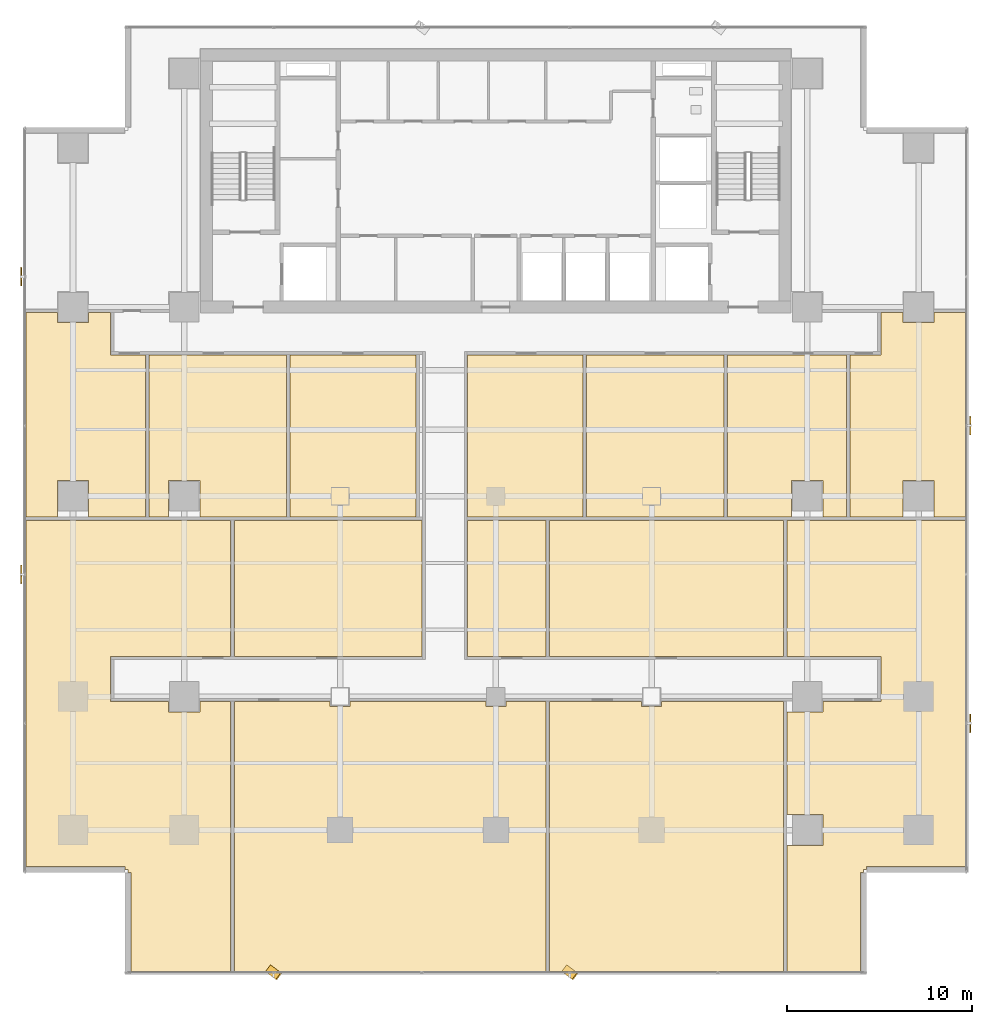
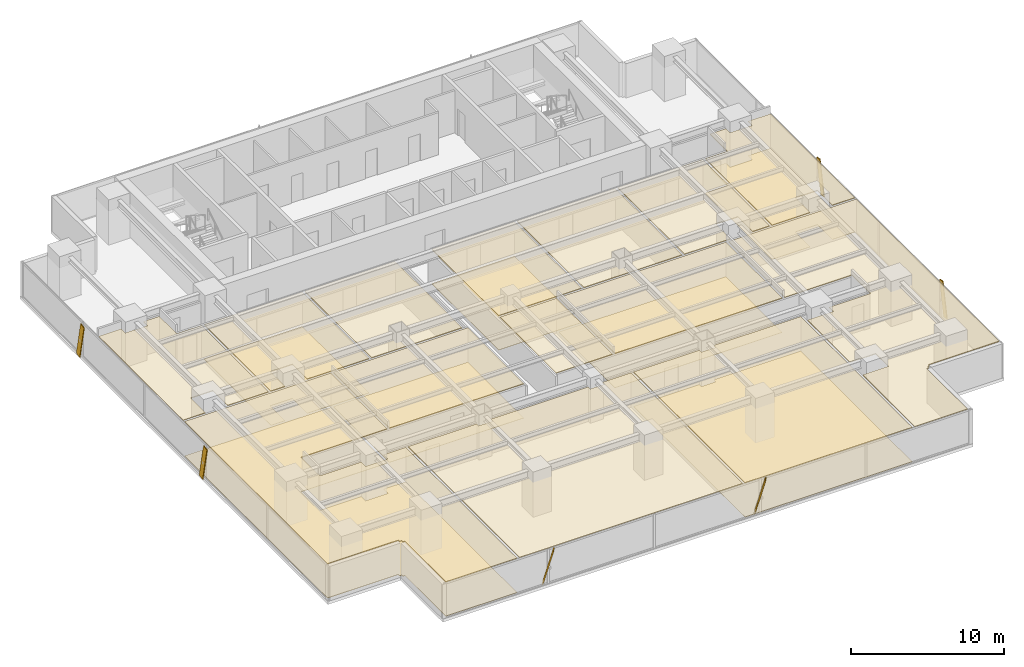
# One storey, part 30 of 34: 21 coverings, 6 shading devices.
"""IFC4 building model written with IfcOpenShell, lengths in metres."""

from ifc_helpers import new_model, si_unit, direction, frame, origin, origin_2d, place, context, subcontext, project, spatial, polyline, rectangle, outline, extrude, source, transform, mapped, material, layer, layer_set, material_profile, profile_set, type_object, element, save


model = new_model("IFC4")

# Units and contexts
model_context = context("Model", 3, precision=1e-05, world=origin(), true_north=direction((0.0, 1.0)))
body_context = subcontext(model_context, "Body", "Model", "MODEL_VIEW")
ifc_project = project(units=[si_unit("LENGTHUNIT", "METRE"), si_unit("AREAUNIT", "SQUARE_METRE"), si_unit("VOLUMEUNIT", "CUBIC_METRE"), si_unit("PLANEANGLEUNIT", "RADIAN"), si_unit("MASSUNIT", "GRAM", prefix="KILO")], contexts=[model_context])

# Site, building, storey
site_placement = place(None, origin())
site = spatial("IfcSite", under=ifc_project, at=site_placement, CompositionType="ELEMENT")
building_placement = place(site_placement, origin())
building = spatial("IfcBuilding", under=site, at=building_placement, Name="Sumidabori Civic Tower", CompositionType="ELEMENT")
storey_placement = place(building_placement, frame((0.0, 0.0, 99.199951171875)))
storey = spatial("IfcBuildingStorey", under=building, at=storey_placement, Name="L25", CompositionType="ELEMENT", Elevation=99.199951171875)

# Coverings
ifc_material_1 = material(Name="Gypsum Coffered Acoustic Ceiling")
ifc_layer_1 = layer(ifc_material_1, 0.06494140625, Name="Gypsum Coffered Acoustic Ceiling")
ifc_layer_set_1 = layer_set([ifc_layer_1], Name="Gypsum Coffered Acoustic Ceiling")
covering_type_1 = type_object("IfcCoveringType", Name="CV-CEIL-AC4", PredefinedType="CEILING", material=ifc_layer_set_1)
covering_1_placement = place(storey_placement, frame((0.0, 0.0, 2.7099609375)))
element("IfcCovering", 1, at=covering_1_placement, inside=storey, type_object=covering_type_1, Name="Room Acoustic Ceiling L25-02", PredefinedType="CEILING", context=body_context, shape_type="SweptSolid", body=[
    extrude(outline(polyline([(-25.330078125, -1.10498046875), (-25.330078125, 9.905029296875), (-23.639892578125, 9.905029296875), (-23.639892578125, 9.360107421875), (-21.9599609375, 9.360107421875), (-21.9599609375, 9.905029296875), (-20.77001953125, 9.905029296875), (-20.77001953125, 7.6298828125), (-18.89501953125, 7.6298828125), (-18.89501953125, -1.10498046875), (-21.9599609375, -1.10498046875), (-21.9599609375, 0.840087890625), (-23.639892578125, 0.840087890625), (-23.639892578125, -1.10498046875), (-25.330078125, -1.10498046875)])), origin(), (0.0, 0.0, 1.0), 0.065185546875),
])
covering_2_placement = place(storey_placement, frame((0.0, 0.0, 2.7099609375)))
element("IfcCovering", 2, at=covering_2_placement, inside=storey, type_object=covering_type_1, Name="Room Acoustic Ceiling L25-03", PredefinedType="CEILING", context=body_context, shape_type="SweptSolid", body=[
    extrude(outline(polyline([(19.094970703125, 7.6298828125), (20.77001953125, 7.6298828125), (20.77001953125, 9.905029296875), (21.9599609375, 9.905029296875), (21.9599609375, 9.360107421875), (23.639892578125, 9.360107421875), (23.639892578125, 9.905029296875), (25.330078125, 9.905029296875), (25.330078125, -1.10498046875), (23.639892578125, -1.10498046875), (23.639892578125, 0.840087890625), (21.9599609375, 0.840087890625), (21.9599609375, -1.10498046875), (19.094970703125, -1.10498046875), (19.094970703125, 7.6298828125)])), origin(), (0.0, 0.0, 1.0), 0.065185546875),
])
covering_3_placement = place(storey_placement, frame((0.0, 0.0, 2.7099609375)))
element("IfcCovering", 3, at=covering_3_placement, inside=storey, type_object=covering_type_1, Name="Room Acoustic Ceiling L25-04", PredefinedType="CEILING", context=body_context, shape_type="SweptSolid", body=[
    extrude(outline(polyline([(12.4951171875, 7.6298828125), (18.905029296875, 7.6298828125), (18.905029296875, -1.10498046875), (17.639892578125, -1.10498046875), (17.639892578125, 0.840087890625), (15.9599609375, 0.840087890625), (15.9599609375, -1.10498046875), (12.4951171875, -1.10498046875), (12.4951171875, 7.6298828125)])), origin(), (0.0, 0.0, 1.0), 0.065185546875),
])
covering_4_placement = place(storey_placement, frame((0.0, 0.0, 2.7099609375)))
element("IfcCovering", 4, at=covering_4_placement, inside=storey, type_object=covering_type_1, Name="Room Acoustic Ceiling L25-05", PredefinedType="CEILING", context=body_context, shape_type="SweptSolid", body=[
    extrude(outline(polyline([(-18.705078125, 7.6298828125), (-11.294921875, 7.6298828125), (-11.294921875, -1.10498046875), (-15.9599609375, -1.10498046875), (-15.9599609375, 0.840087890625), (-17.639892578125, 0.840087890625), (-17.639892578125, -1.10498046875), (-18.705078125, -1.10498046875), (-18.705078125, 7.6298828125)])), origin(), (0.0, 0.0, 1.0), 0.065185546875),
])
covering_5_placement = place(storey_placement, frame((0.0, 0.0, 2.7099609375)))
element("IfcCovering", 5, at=covering_5_placement, inside=storey, type_object=covering_type_1, Name="Room Acoustic Ceiling L25-06", PredefinedType="CEILING", context=body_context, shape_type="SweptSolid", body=[
    extrude(outline(polyline([(-11.10498046875, 7.6298828125), (-4.294921875, 7.6298828125), (-4.294921875, -1.10498046875), (-11.10498046875, -1.10498046875), (-11.10498046875, 7.6298828125)])), origin(), (0.0, 0.0, 1.0), 0.065185546875),
])
covering_6_placement = place(storey_placement, frame((0.0, 0.0, 2.7099609375)))
element("IfcCovering", 6, at=covering_6_placement, inside=storey, type_object=covering_type_1, Name="Room Acoustic Ceiling L25-07", PredefinedType="CEILING", context=body_context, shape_type="SweptSolid", body=[
    extrude(outline(polyline([(-1.530029296875, 7.6298828125), (4.705078125, 7.6298828125), (4.705078125, -1.10498046875), (-1.530029296875, -1.10498046875), (-1.530029296875, 7.6298828125)])), origin(), (0.0, 0.0, 1.0), 0.065185546875),
])
covering_7_placement = place(storey_placement, frame((0.0, 0.0, 2.7099609375)))
element("IfcCovering", 7, at=covering_7_placement, inside=storey, type_object=covering_type_1, Name="Room Acoustic Ceiling L25-08", PredefinedType="CEILING", context=body_context, shape_type="SweptSolid", body=[
    extrude(outline(polyline([(4.89501953125, 7.6298828125), (12.304931640625, 7.6298828125), (12.304931640625, -1.10498046875), (4.89501953125, -1.10498046875), (4.89501953125, 7.6298828125)])), origin(), (0.0, 0.0, 1.0), 0.065185546875),
])
covering_8_placement = place(storey_placement, frame((0.0, 0.0, 2.7099609375)))
element("IfcCovering", 8, at=covering_8_placement, inside=storey, type_object=covering_type_1, Name="Room Acoustic Ceiling L25-09", PredefinedType="CEILING", context=body_context, shape_type="SweptSolid", body=[
    extrude(outline(polyline([(-3.969970703125, -8.6298828125), (-14.10498046875, -8.6298828125), (-14.10498046875, -1.294921875), (-3.969970703125, -1.294921875), (-3.969970703125, -8.6298828125)])), origin(), (0.0, 0.0, 1.0), 0.065185546875),
])
covering_9_placement = place(storey_placement, frame((0.0, 0.0, 2.7099609375)))
element("IfcCovering", 9, at=covering_9_placement, inside=storey, type_object=covering_type_1, Name="Room Acoustic Ceiling L25-10", PredefinedType="CEILING", context=body_context, shape_type="SweptSolid", body=[
    extrude(outline(polyline([(-1.530029296875, -8.6298828125), (-1.530029296875, -1.294921875), (2.705078125, -1.294921875), (2.705078125, -8.6298828125), (-1.530029296875, -8.6298828125)])), origin(), (0.0, 0.0, 1.0), 0.065185546875),
])
covering_10_placement = place(storey_placement, frame((0.0, 0.0, 2.7099609375)))
element("IfcCovering", 10, at=covering_10_placement, inside=storey, type_object=covering_type_1, Name="Room Acoustic Ceiling L25-11", PredefinedType="CEILING", context=body_context, shape_type="SweptSolid", body=[
    extrude(outline(polyline([(2.89501953125, -8.6298828125), (2.89501953125, -1.294921875), (15.5048828125, -1.294921875), (15.5048828125, -8.6298828125), (2.89501953125, -8.6298828125)])), origin(), (0.0, 0.0, 1.0), 0.065185546875),
])
covering_11_placement = place(storey_placement, frame((0.0, 0.0, 2.7099609375)))
element("IfcCovering", 11, at=covering_11_placement, inside=storey, type_object=covering_type_1, Name="Room Acoustic Ceiling L25-12", PredefinedType="CEILING", context=body_context, shape_type="SweptSolid", body=[
    extrude(outline(polyline([(15.695068359375, -18.840087890625), (17.639892578125, -18.840087890625), (17.639892578125, -17.159912109375), (15.695068359375, -17.159912109375), (15.695068359375, -11.639892578125), (17.639892578125, -11.639892578125), (17.639892578125, -11.070068359375), (20.77001953125, -11.070068359375), (20.77001953125, -8.6298828125), (15.695068359375, -8.6298828125), (15.695068359375, -1.294921875), (25.330078125, -1.294921875), (25.330078125, -19.971923828125), (19.991943359375, -19.971923828125), (19.991943359375, -20.1298828125), (19.830078125, -20.1298828125), (19.830078125, -20.2919921875), (19.672119140625, -20.2919921875), (19.672119140625, -25.6298828125), (15.695068359375, -25.6298828125), (15.695068359375, -18.840087890625)])), origin(), (0.0, 0.0, 1.0), 0.065185546875),
])
covering_12_placement = place(storey_placement, frame((0.0, 0.0, 2.7099609375)))
element("IfcCovering", 12, at=covering_12_placement, inside=storey, type_object=covering_type_1, Name="Room Acoustic Ceiling L25-13", PredefinedType="CEILING", context=body_context, shape_type="SweptSolid", body=[
    extrude(outline(polyline([(-25.330078125, -19.971923828125), (-25.330078125, -1.294921875), (-14.294921875, -1.294921875), (-14.294921875, -8.6298828125), (-20.77001953125, -8.6298828125), (-20.77001953125, -11.070068359375), (-17.639892578125, -11.070068359375), (-17.639892578125, -11.639892578125), (-15.9599609375, -11.639892578125), (-15.9599609375, -11.070068359375), (-14.294921875, -11.070068359375), (-14.294921875, -25.6298828125), (-19.672119140625, -25.6298828125), (-19.672119140625, -20.2919921875), (-19.830078125, -20.2919921875), (-19.830078125, -20.1298828125), (-19.991943359375, -20.1298828125), (-19.991943359375, -19.971923828125), (-25.330078125, -19.971923828125)])), origin(), (0.0, 0.0, 1.0), 0.065185546875),
])
covering_13_placement = place(storey_placement, frame((0.0, 0.0, 2.7099609375)))
element("IfcCovering", 13, at=covering_13_placement, inside=storey, type_object=covering_type_1, Name="Room Acoustic Ceiling L25-14", PredefinedType="CEILING", context=body_context, shape_type="SweptSolid", body=[
    extrude(outline(polyline([(-14.10498046875, -11.070068359375), (-8.93994140625, -11.070068359375), (-8.93994140625, -11.340087890625), (-7.860107421875, -11.340087890625), (-7.860107421875, -11.070068359375), (-0.5400390625, -11.070068359375), (-0.5400390625, -11.340087890625), (0.5400390625, -11.340087890625), (0.5400390625, -11.070068359375), (2.705078125, -11.070068359375), (2.705078125, -25.6298828125), (-14.10498046875, -25.6298828125), (-14.10498046875, -11.070068359375)])), origin(), (0.0, 0.0, 1.0), 0.065185546875),
])
covering_14_placement = place(storey_placement, frame((0.0, 0.0, 2.7099609375)))
element("IfcCovering", 14, at=covering_14_placement, inside=storey, type_object=covering_type_1, Name="Room Acoustic Ceiling L25-15", PredefinedType="CEILING", context=body_context, shape_type="SweptSolid", body=[
    extrude(outline(polyline([(2.89501953125, -11.070068359375), (7.860107421875, -11.070068359375), (7.860107421875, -11.340087890625), (8.93994140625, -11.340087890625), (8.93994140625, -11.070068359375), (15.5048828125, -11.070068359375), (15.5048828125, -25.6298828125), (2.89501953125, -25.6298828125), (2.89501953125, -11.070068359375)])), origin(), (0.0, 0.0, 1.0), 0.065185546875),
])
ifc_material_2 = material(Name="Honed Terrazzo Tile Flooring")
ifc_layer_2 = layer(ifc_material_2, 0.030029296875, Name="Honed Terrazzo Tile Flooring")
ifc_layer_set_2 = layer_set([ifc_layer_2], Name="Honed Terrazzo Tile Flooring")
covering_type_2 = type_object("IfcCoveringType", Name="CV-FLR-TER", PredefinedType="FLOORING", material=ifc_layer_set_2)
covering_15_placement = place(storey_placement, origin())
element("IfcCovering", 15, at=covering_15_placement, inside=storey, type_object=covering_type_2, Name="Room Terrazzo Floor L25-03", PredefinedType="FLOORING", context=body_context, shape_type="SweptSolid", body=[
    extrude(outline(polyline([(19.094970703125, 7.6298828125), (20.77001953125, 7.6298828125), (20.77001953125, 9.905029296875), (21.9599609375, 9.905029296875), (21.9599609375, 9.360107421875), (23.639892578125, 9.360107421875), (23.639892578125, 9.905029296875), (25.330078125, 9.905029296875), (25.330078125, -1.10498046875), (23.639892578125, -1.10498046875), (23.639892578125, 0.840087890625), (21.9599609375, 0.840087890625), (21.9599609375, -1.10498046875), (19.094970703125, -1.10498046875), (19.094970703125, 7.6298828125)])), origin(), (0.0, 0.0, 1.0), 0.030029296875),
])
covering_16_placement = place(storey_placement, origin())
element("IfcCovering", 16, at=covering_16_placement, inside=storey, type_object=covering_type_2, Name="Room Terrazzo Floor L25-05", PredefinedType="FLOORING", context=body_context, shape_type="SweptSolid", body=[
    extrude(outline(polyline([(-18.705078125, 7.6298828125), (-11.294921875, 7.6298828125), (-11.294921875, -1.10498046875), (-15.9599609375, -1.10498046875), (-15.9599609375, 0.840087890625), (-17.639892578125, 0.840087890625), (-17.639892578125, -1.10498046875), (-18.705078125, -1.10498046875), (-18.705078125, 7.6298828125)])), origin(), (0.0, 0.0, 1.0), 0.030029296875),
])
covering_17_placement = place(storey_placement, origin())
element("IfcCovering", 17, at=covering_17_placement, inside=storey, type_object=covering_type_2, Name="Room Terrazzo Floor L25-07", PredefinedType="FLOORING", context=body_context, shape_type="SweptSolid", body=[
    extrude(outline(polyline([(-1.530029296875, 7.6298828125), (4.705078125, 7.6298828125), (4.705078125, -1.10498046875), (-1.530029296875, -1.10498046875), (-1.530029296875, 7.6298828125)])), origin(), (0.0, 0.0, 1.0), 0.030029296875),
])
covering_18_placement = place(storey_placement, origin())
element("IfcCovering", 18, at=covering_18_placement, inside=storey, type_object=covering_type_2, Name="Room Terrazzo Floor L25-09", PredefinedType="FLOORING", context=body_context, shape_type="SweptSolid", body=[
    extrude(outline(polyline([(-3.969970703125, -8.6298828125), (-14.10498046875, -8.6298828125), (-14.10498046875, -1.294921875), (-3.969970703125, -1.294921875), (-3.969970703125, -8.6298828125)])), origin(), (0.0, 0.0, 1.0), 0.030029296875),
])
covering_19_placement = place(storey_placement, origin())
element("IfcCovering", 19, at=covering_19_placement, inside=storey, type_object=covering_type_2, Name="Room Terrazzo Floor L25-11", PredefinedType="FLOORING", context=body_context, shape_type="SweptSolid", body=[
    extrude(outline(polyline([(2.89501953125, -8.6298828125), (2.89501953125, -1.294921875), (15.5048828125, -1.294921875), (15.5048828125, -8.6298828125), (2.89501953125, -8.6298828125)])), origin(), (0.0, 0.0, 1.0), 0.030029296875),
])
covering_20_placement = place(storey_placement, origin())
element("IfcCovering", 20, at=covering_20_placement, inside=storey, type_object=covering_type_2, Name="Room Terrazzo Floor L25-13", PredefinedType="FLOORING", context=body_context, shape_type="SweptSolid", body=[
    extrude(outline(polyline([(-25.330078125, -19.971923828125), (-25.330078125, -1.294921875), (-14.294921875, -1.294921875), (-14.294921875, -8.6298828125), (-20.77001953125, -8.6298828125), (-20.77001953125, -11.070068359375), (-17.639892578125, -11.070068359375), (-17.639892578125, -11.639892578125), (-15.9599609375, -11.639892578125), (-15.9599609375, -11.070068359375), (-14.294921875, -11.070068359375), (-14.294921875, -25.6298828125), (-19.672119140625, -25.6298828125), (-19.672119140625, -20.2919921875), (-19.830078125, -20.2919921875), (-19.830078125, -20.1298828125), (-19.991943359375, -20.1298828125), (-19.991943359375, -19.971923828125), (-25.330078125, -19.971923828125)])), origin(), (0.0, 0.0, 1.0), 0.030029296875),
])
covering_21_placement = place(storey_placement, origin())
element("IfcCovering", 21, at=covering_21_placement, inside=storey, type_object=covering_type_2, Name="Room Terrazzo Floor L25-15", PredefinedType="FLOORING", context=body_context, shape_type="SweptSolid", body=[
    extrude(outline(polyline([(2.89501953125, -11.070068359375), (7.860107421875, -11.070068359375), (7.860107421875, -11.340087890625), (8.93994140625, -11.340087890625), (8.93994140625, -11.070068359375), (15.5048828125, -11.070068359375), (15.5048828125, -25.6298828125), (2.89501953125, -25.6298828125), (2.89501953125, -11.070068359375)])), origin(), (0.0, 0.0, 1.0), 0.030029296875),
])

# Shading devices
ifc_material_3 = material(Name="Anodised Bronze Aluminium AW-6063-T6", Category="aluminium")
ifc_material_profile = material_profile(ifc_material_3, rectangle(XDim=0.06005859375, YDim=0.449951171875, at=origin_2d()), Name="BRONZE FIN 450x60")
ifc_profile_set = profile_set([ifc_material_profile], Name="Anodised Bronze Aluminium AW-6063-T6")
shading_device_type = type_object("IfcShadingDeviceType", Name="SH-FIN-450", PredefinedType="USERDEFINED", material=ifc_profile_set)
shared_shape_1 = source(origin(), body_context, "Body", "SweptSolid", [
    extrude(rectangle(XDim=0.06005859375, YDim=0.449951171875, at=origin_2d()), origin(), (0.0, 0.0, 1.0), 2.769775390625),
])
for number, where, z_axis, x_axis, name in (
    (22, (-12.261962890625, -25.469970703125, 0.02001953125), (0.202198633998, -0.151604904305, 0.967538973582), (0.774112159528, -0.58041539424, -0.252721852241), "Bronze Anodised Diagonal Fin L25-01"),
    (23, (3.714111328125, -25.469970703125, 0.02001953125), (0.202114092991, -0.151607605732, 0.967556214025), (0.774004463215, -0.580587735163, -0.252655838447), "Bronze Anodised Diagonal Fin L25-03"),
):
    element("IfcShadingDevice", number, at=place(storey_placement, frame(where, z_axis=z_axis, x_axis=x_axis)), inside=storey, type_object=shading_device_type, Name=name, ObjectType="FIN", PredefinedType="USERDEFINED", context=body_context, shape_type="MappedRepresentation", body=[
        mapped(shared_shape_1, transform((0.0, 0.0, 0.0), x_axis=(1.0, 0.0, 0.0), y_axis=(0.0, 1.0, 0.0), z_axis=(0.0, 0.0, 1.0), scale=1.0)),
    ])
shared_shape_2 = source(origin(), body_context, "Body", "SweptSolid", [
    extrude(rectangle(XDim=0.06005859375, YDim=0.449951171875, at=origin_2d()), origin(), (0.0, 0.0, 1.0), 2.73779296875),
])
for number, where, z_axis, x_axis, name in (
    (24, (25.590087890625, -12.52197265625, 0.02001953125), (0.0, 0.204563143937, 0.978853370093), (-1.0, 0.0, 0.0), "Bronze Anodised Diagonal Fin L25-01"),
    (25, (25.590087890625, 3.533935546875, 0.02001953125), (0.0, 0.204563143937, 0.978853370093), (-1.0, 0.0, 0.0), "Bronze Anodised Diagonal Fin L25-03"),
    (26, (-25.590087890625, 12.1220703125, 0.02001953125), (0.0, -0.204563143937, 0.978853370093), (-1.0, 0.0, 0.0), "Bronze Anodised Diagonal Fin L25-01"),
    (27, (-25.590087890625, -3.93408203125, 0.02001953125), (0.0, -0.204477700022, 0.978871222477), (-1.0, 0.0, 0.0), "Bronze Anodised Diagonal Fin L25-03"),
):
    element("IfcShadingDevice", number, at=place(storey_placement, frame(where, z_axis=z_axis, x_axis=x_axis)), inside=storey, type_object=shading_device_type, Name=name, ObjectType="FIN", PredefinedType="USERDEFINED", context=body_context, shape_type="MappedRepresentation", body=[
        mapped(shared_shape_2, transform((0.0, 0.0, 0.0), x_axis=(1.0, 0.0, 0.0), y_axis=(0.0, 1.0, 0.0), z_axis=(0.0, 0.0, 1.0), scale=1.0)),
    ])

save(model, "model.ifc")
